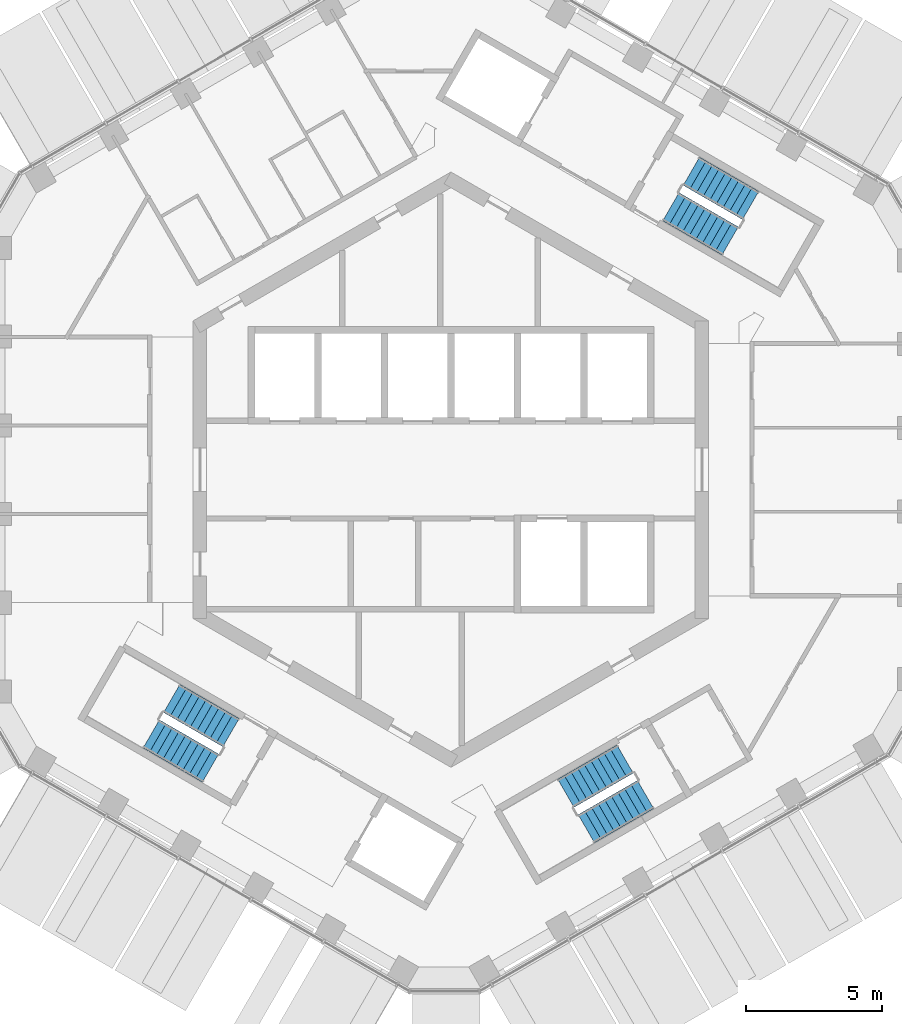
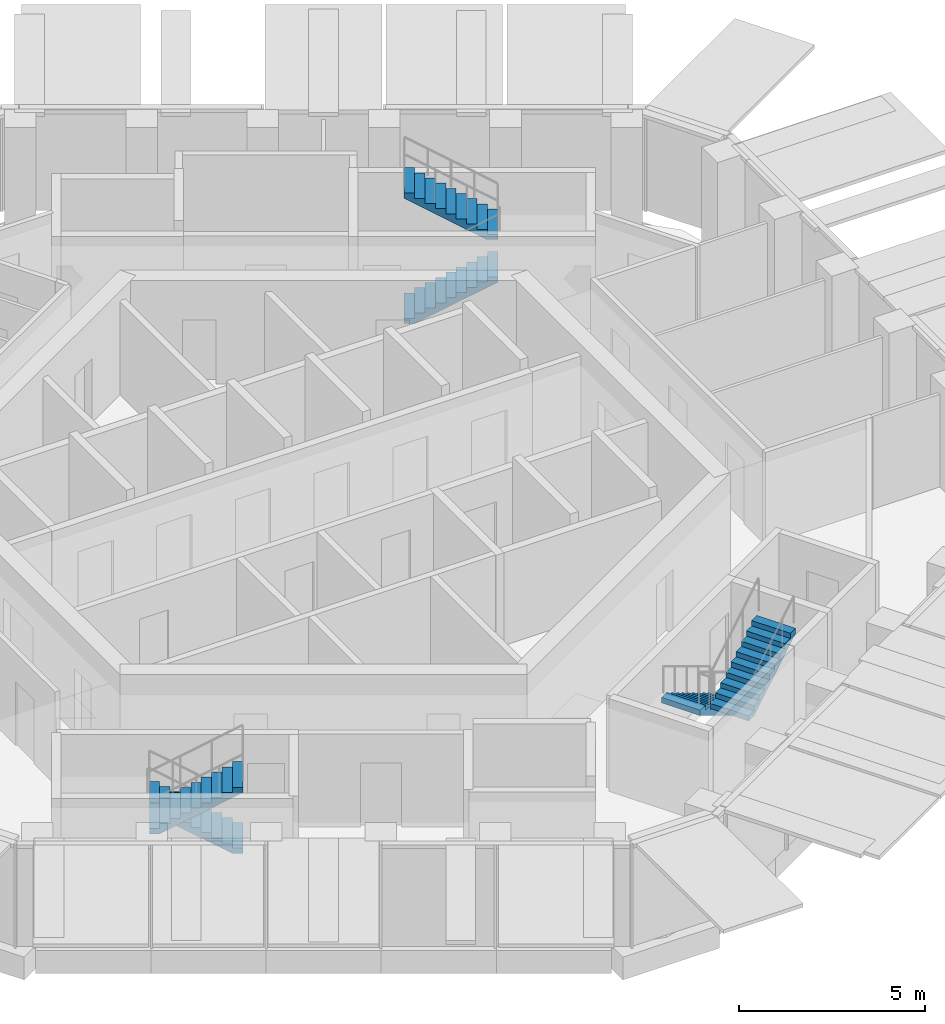
# One storey, part 16 of 17: 6 stair flights, 3 elements without a shape of their own.
"""IFC4 building model written with IfcOpenShell, lengths in metres."""

from ifc_helpers import new_model, si_unit, direction, frame, origin, place, context, subcontext, project, spatial, triangles, material, type_object, element, aggregate, save


model = new_model("IFC4")

# Units and contexts
model_context = context("Model", 3, precision=1e-05, world=origin(), true_north=direction((0.0, 1.0)))
body_context = subcontext(model_context, "Body", "Model", "MODEL_VIEW")
ifc_project = project(units=[si_unit("LENGTHUNIT", "METRE"), si_unit("AREAUNIT", "SQUARE_METRE"), si_unit("VOLUMEUNIT", "CUBIC_METRE"), si_unit("PLANEANGLEUNIT", "RADIAN"), si_unit("MASSUNIT", "GRAM", prefix="KILO")], contexts=[model_context])

# Site, building, storey
site_placement = place(None, origin())
site = spatial("IfcSite", under=ifc_project, at=site_placement, CompositionType="ELEMENT")
building_placement = place(site_placement, origin())
building = spatial("IfcBuilding", under=site, at=building_placement, Name="Ayvan Gate Tower", CompositionType="ELEMENT")
storey_placement = place(building_placement, frame((0.0, 0.0, 232.5)))
storey = spatial("IfcBuildingStorey", under=building, at=storey_placement, Name="L62", CompositionType="ELEMENT", Elevation=232.5)

# Stair, stair flights
ifc_material = material(Name="Concrete C40/50", Category="concrete")
stair_type = type_object("IfcStairType", Name="ST-EXIT", PredefinedType="HALF_TURN_STAIR", material=ifc_material)
stair_1_placement = place(storey_placement, origin())
stair_1 = element("IfcStair", 1, at=stair_1_placement, inside=storey, type_object=stair_type, Name="L62 Exit Stair S1", PredefinedType="HALF_TURN_STAIR")
stair_flight_type = type_object("IfcStairFlightType", Name="SFL-EXIT", PredefinedType="STRAIGHT", material=ifc_material)
stair_flight_1_placement = place(storey_placement, frame((8.106201171875, 9.690185546875, 0.0), z_axis=(0.0, 0.0, 1.0), x_axis=(0.866025403784, -0.5, 0.0)))
stair_flight_1 = element("IfcStairFlight", 2, at=stair_flight_1_placement, type_object=stair_flight_type, Name="STS1 flight 1", NumberOfRisers=10, NumberOfTreads=9, PredefinedType="STRAIGHT", RiserHeight=0.17, TreadLength=0.28, context=body_context, shape_type="Tessellation", body=[
    triangles([(0.288841, -0.599976, 0.0), (2.5205, -0.599976, 1.354936), (2.5205, -0.599976, 1.53), (2.24, -0.599976, 1.53), (2.24, -0.599976, 1.36), (1.96, -0.599976, 1.36), (1.96, -0.599976, 1.19), (1.68, -0.599976, 1.19), (1.68, -0.599976, 1.02), (1.4, -0.599976, 1.02), (1.4, -0.599976, 0.85), (1.12, -0.599976, 0.85), (1.12, -0.599976, 0.68), (0.84, -0.599976, 0.68), (0.84, -0.599976, 0.51), (0.56, -0.599976, 0.51), (0.56, -0.599976, 0.34), (0.28, -0.599976, 0.34), (0.28, -0.599976, 0.17), (-0.0005, -0.599976, 0.17), (-0.0005, -0.599976, 0.0), (0.288841, 0.0, 0.0), (2.5205, 0.0, 1.354936), (2.5205, 0.0, 1.53), (2.24, 0.0, 1.53), (2.24, 0.0, 1.36), (1.96, 0.0, 1.36), (1.96, 0.0, 1.19), (1.68, 0.0, 1.19), (1.68, 0.0, 1.02), (1.4, 0.0, 1.02), (1.4, 0.0, 0.85), (1.12, 0.0, 0.85), (1.12, 0.0, 0.68), (0.84, 0.0, 0.68), (0.84, 0.0, 0.51), (0.56, 0.0, 0.51), (0.56, 0.0, 0.34), (0.28, 0.0, 0.34), (0.28, 0.0, 0.17), (-0.0005, 0.0, 0.17), (-0.0005, 0.0, 0.0), (0.288841, 0.599976, 0.0), (2.5205, 0.599976, 1.354936), (2.5205, 0.599976, 1.53), (2.24, 0.599976, 1.53), (2.24, 0.599976, 1.36), (1.96, 0.599976, 1.36), (1.96, 0.599976, 1.19), (1.68, 0.599976, 1.19), (1.68, 0.599976, 1.02), (1.4, 0.599976, 1.02), (1.4, 0.599976, 0.85), (1.12, 0.599976, 0.85), (1.12, 0.599976, 0.68), (0.84, 0.599976, 0.68), (0.84, 0.599976, 0.51), (0.56, 0.599976, 0.51), (0.56, 0.599976, 0.34), (0.28, 0.599976, 0.34), (0.28, 0.599976, 0.17), (-0.0005, 0.599976, 0.17), (-0.0005, 0.599976, 0.0)], [[21, 1, 2], [63, 44, 43], [2, 3, 4], [44, 46, 45], [2, 4, 5], [44, 47, 46], [2, 5, 6], [44, 48, 47], [2, 6, 7], [44, 49, 48], [7, 8, 9], [49, 51, 50], [2, 7, 9], [44, 51, 49], [9, 10, 11], [51, 53, 52], [2, 9, 11], [44, 53, 51], [11, 12, 13], [53, 55, 54], [2, 11, 13], [44, 55, 53], [13, 14, 15], [55, 57, 56], [2, 13, 15], [44, 57, 55], [15, 16, 17], [57, 59, 58], [2, 15, 17], [44, 59, 57], [17, 18, 19], [59, 61, 60], [2, 17, 19], [44, 61, 59], [21, 2, 19], [63, 61, 44], [19, 20, 21], [61, 63, 62], [1, 22, 23], [1, 23, 2], [43, 23, 22], [43, 44, 23], [2, 23, 24], [2, 24, 3], [44, 24, 23], [44, 45, 24], [3, 24, 25], [3, 25, 4], [45, 25, 24], [45, 46, 25], [4, 25, 26], [4, 26, 5], [46, 26, 25], [46, 47, 26], [5, 26, 27], [5, 27, 6], [47, 27, 26], [47, 48, 27], [6, 27, 28], [6, 28, 7], [48, 28, 27], [48, 49, 28], [7, 28, 29], [7, 29, 8], [49, 29, 28], [49, 50, 29], [8, 29, 30], [8, 30, 9], [50, 30, 29], [50, 51, 30], [9, 30, 31], [9, 31, 10], [51, 31, 30], [51, 52, 31], [10, 31, 32], [10, 32, 11], [52, 32, 31], [52, 53, 32], [11, 32, 33], [11, 33, 12], [53, 33, 32], [53, 54, 33], [12, 33, 34], [12, 34, 13], [54, 34, 33], [54, 55, 34], [13, 34, 35], [13, 35, 14], [55, 35, 34], [55, 56, 35], [14, 35, 36], [14, 36, 15], [56, 36, 35], [56, 57, 36], [15, 36, 37], [15, 37, 16], [57, 37, 36], [57, 58, 37], [16, 37, 38], [16, 38, 17], [58, 38, 37], [58, 59, 38], [17, 38, 39], [17, 39, 18], [59, 39, 38], [59, 60, 39], [18, 39, 40], [18, 40, 19], [60, 40, 39], [60, 61, 40], [19, 40, 41], [19, 41, 20], [61, 41, 40], [61, 62, 41], [20, 41, 42], [20, 42, 21], [62, 42, 41], [62, 63, 42], [21, 42, 22], [21, 22, 1], [63, 22, 42], [63, 43, 22]], closed=True),
])
stair_flight_2_placement = place(storey_placement, frame((11.04345703125, 9.73779296875, 1.699951171875), z_axis=(0.0, 0.0, 1.0), x_axis=(-0.866025403784, 0.5, 0.0)))
stair_flight_2 = element("IfcStairFlight", 3, at=stair_flight_2_placement, type_object=stair_flight_type, Name="STS1 flight 2", NumberOfRisers=10, NumberOfTreads=9, PredefinedType="STRAIGHT", RiserHeight=0.17, TreadLength=0.28, context=body_context, shape_type="Tessellation", body=[
    triangles([(0.288841, -0.599976, 0.0), (2.5205, -0.599976, 1.354936), (2.5205, -0.599976, 1.53), (2.24, -0.599976, 1.53), (2.24, -0.599976, 1.36), (1.96, -0.599976, 1.36), (1.96, -0.599976, 1.19), (1.68, -0.599976, 1.19), (1.68, -0.599976, 1.02), (1.4, -0.599976, 1.02), (1.4, -0.599976, 0.85), (1.12, -0.599976, 0.85), (1.12, -0.599976, 0.68), (0.84, -0.599976, 0.68), (0.84, -0.599976, 0.51), (0.56, -0.599976, 0.51), (0.56, -0.599976, 0.34), (0.28, -0.599976, 0.34), (0.28, -0.599976, 0.17), (-0.0005, -0.599976, 0.17), (-0.0005, -0.599976, 0.0), (0.288841, 0.0, 0.0), (2.5205, 0.0, 1.354936), (2.5205, 0.0, 1.53), (2.24, 0.0, 1.53), (2.24, 0.0, 1.36), (1.96, 0.0, 1.36), (1.96, 0.0, 1.19), (1.68, 0.0, 1.19), (1.68, 0.0, 1.02), (1.4, 0.0, 1.02), (1.4, 0.0, 0.85), (1.12, 0.0, 0.85), (1.12, 0.0, 0.68), (0.84, 0.0, 0.68), (0.84, 0.0, 0.51), (0.56, 0.0, 0.51), (0.56, 0.0, 0.34), (0.28, 0.0, 0.34), (0.28, 0.0, 0.17), (-0.0005, 0.0, 0.17), (-0.0005, 0.0, 0.0), (0.288841, 0.599976, 0.0), (2.5205, 0.599976, 1.354936), (2.5205, 0.599976, 1.53), (2.24, 0.599976, 1.53), (2.24, 0.599976, 1.36), (1.96, 0.599976, 1.36), (1.96, 0.599976, 1.19), (1.68, 0.599976, 1.19), (1.68, 0.599976, 1.02), (1.4, 0.599976, 1.02), (1.4, 0.599976, 0.85), (1.12, 0.599976, 0.85), (1.12, 0.599976, 0.68), (0.84, 0.599976, 0.68), (0.84, 0.599976, 0.51), (0.56, 0.599976, 0.51), (0.56, 0.599976, 0.34), (0.28, 0.599976, 0.34), (0.28, 0.599976, 0.17), (-0.0005, 0.599976, 0.17), (-0.0005, 0.599976, 0.0)], [[21, 1, 2], [63, 44, 43], [2, 3, 4], [44, 46, 45], [2, 4, 5], [44, 47, 46], [2, 5, 6], [44, 48, 47], [2, 6, 7], [44, 49, 48], [7, 8, 9], [49, 51, 50], [2, 7, 9], [44, 51, 49], [9, 10, 11], [51, 53, 52], [2, 9, 11], [44, 53, 51], [11, 12, 13], [53, 55, 54], [2, 11, 13], [44, 55, 53], [13, 14, 15], [55, 57, 56], [2, 13, 15], [44, 57, 55], [15, 16, 17], [57, 59, 58], [2, 15, 17], [44, 59, 57], [17, 18, 19], [59, 61, 60], [2, 17, 19], [44, 61, 59], [21, 2, 19], [63, 61, 44], [19, 20, 21], [61, 63, 62], [1, 22, 23], [1, 23, 2], [43, 23, 22], [43, 44, 23], [2, 23, 24], [2, 24, 3], [44, 24, 23], [44, 45, 24], [3, 24, 25], [3, 25, 4], [45, 25, 24], [45, 46, 25], [4, 25, 26], [4, 26, 5], [46, 26, 25], [46, 47, 26], [5, 26, 27], [5, 27, 6], [47, 27, 26], [47, 48, 27], [6, 27, 28], [6, 28, 7], [48, 28, 27], [48, 49, 28], [7, 28, 29], [7, 29, 8], [49, 29, 28], [49, 50, 29], [8, 29, 30], [8, 30, 9], [50, 30, 29], [50, 51, 30], [9, 30, 31], [9, 31, 10], [51, 31, 30], [51, 52, 31], [10, 31, 32], [10, 32, 11], [52, 32, 31], [52, 53, 32], [11, 32, 33], [11, 33, 12], [53, 33, 32], [53, 54, 33], [12, 33, 34], [12, 34, 13], [54, 34, 33], [54, 55, 34], [13, 34, 35], [13, 35, 14], [55, 35, 34], [55, 56, 35], [14, 35, 36], [14, 36, 15], [56, 36, 35], [56, 57, 36], [15, 36, 37], [15, 37, 16], [57, 37, 36], [57, 58, 37], [16, 37, 38], [16, 38, 17], [58, 38, 37], [58, 59, 38], [17, 38, 39], [17, 39, 18], [59, 39, 38], [59, 60, 39], [18, 39, 40], [18, 40, 19], [60, 40, 39], [60, 61, 40], [19, 40, 41], [19, 41, 20], [61, 41, 40], [61, 62, 41], [20, 41, 42], [20, 42, 21], [62, 42, 41], [62, 63, 42], [21, 42, 22], [21, 22, 1], [63, 22, 42], [63, 43, 22]], closed=True),
])
aggregate(stair_1, [stair_flight_1, stair_flight_2])

stair_2_placement = place(storey_placement, origin())
stair_2 = element("IfcStair", 4, at=stair_2_placement, inside=storey, type_object=stair_type, Name="L62 Exit Stair S2", PredefinedType="HALF_TURN_STAIR")
stair_flight_3_placement = place(storey_placement, frame((-8.106201171875, -9.690185546875, 0.0), z_axis=(0.0, 0.0, 1.0), x_axis=(-0.866025403784, 0.5, 0.0)))
stair_flight_3 = element("IfcStairFlight", 5, at=stair_flight_3_placement, type_object=stair_flight_type, Name="STS2 flight 1", NumberOfRisers=10, NumberOfTreads=9, PredefinedType="STRAIGHT", RiserHeight=0.17, TreadLength=0.28, context=body_context, shape_type="Tessellation", body=[
    triangles([(0.288841, -0.599976, 0.0), (2.5205, -0.599976, 1.354936), (2.5205, -0.599976, 1.53), (2.24, -0.599976, 1.53), (2.24, -0.599976, 1.36), (1.96, -0.599976, 1.36), (1.96, -0.599976, 1.19), (1.68, -0.599976, 1.19), (1.68, -0.599976, 1.02), (1.4, -0.599976, 1.02), (1.4, -0.599976, 0.85), (1.12, -0.599976, 0.85), (1.12, -0.599976, 0.68), (0.84, -0.599976, 0.68), (0.84, -0.599976, 0.51), (0.56, -0.599976, 0.51), (0.56, -0.599976, 0.34), (0.28, -0.599976, 0.34), (0.28, -0.599976, 0.17), (-0.0005, -0.599976, 0.17), (-0.0005, -0.599976, 0.0), (0.288841, 0.0, 0.0), (2.5205, 0.0, 1.354936), (2.5205, 0.0, 1.53), (2.24, 0.0, 1.53), (2.24, 0.0, 1.36), (1.96, 0.0, 1.36), (1.96, 0.0, 1.19), (1.68, 0.0, 1.19), (1.68, 0.0, 1.02), (1.4, 0.0, 1.02), (1.4, 0.0, 0.85), (1.12, 0.0, 0.85), (1.12, 0.0, 0.68), (0.84, 0.0, 0.68), (0.84, 0.0, 0.51), (0.56, 0.0, 0.51), (0.56, 0.0, 0.34), (0.28, 0.0, 0.34), (0.28, 0.0, 0.17), (-0.0005, 0.0, 0.17), (-0.0005, 0.0, 0.0), (0.288841, 0.599976, 0.0), (2.5205, 0.599976, 1.354936), (2.5205, 0.599976, 1.53), (2.24, 0.599976, 1.53), (2.24, 0.599976, 1.36), (1.96, 0.599976, 1.36), (1.96, 0.599976, 1.19), (1.68, 0.599976, 1.19), (1.68, 0.599976, 1.02), (1.4, 0.599976, 1.02), (1.4, 0.599976, 0.85), (1.12, 0.599976, 0.85), (1.12, 0.599976, 0.68), (0.84, 0.599976, 0.68), (0.84, 0.599976, 0.51), (0.56, 0.599976, 0.51), (0.56, 0.599976, 0.34), (0.28, 0.599976, 0.34), (0.28, 0.599976, 0.17), (-0.0005, 0.599976, 0.17), (-0.0005, 0.599976, 0.0)], [[21, 1, 2], [63, 44, 43], [2, 3, 4], [44, 46, 45], [2, 4, 5], [44, 47, 46], [2, 5, 6], [44, 48, 47], [2, 6, 7], [44, 49, 48], [7, 8, 9], [49, 51, 50], [2, 7, 9], [44, 51, 49], [9, 10, 11], [51, 53, 52], [2, 9, 11], [44, 53, 51], [11, 12, 13], [53, 55, 54], [2, 11, 13], [44, 55, 53], [13, 14, 15], [55, 57, 56], [2, 13, 15], [44, 57, 55], [15, 16, 17], [57, 59, 58], [2, 15, 17], [44, 59, 57], [17, 18, 19], [59, 61, 60], [2, 17, 19], [44, 61, 59], [21, 2, 19], [63, 61, 44], [19, 20, 21], [61, 63, 62], [1, 22, 23], [1, 23, 2], [43, 23, 22], [43, 44, 23], [2, 23, 24], [2, 24, 3], [44, 24, 23], [44, 45, 24], [3, 24, 25], [3, 25, 4], [45, 25, 24], [45, 46, 25], [4, 25, 26], [4, 26, 5], [46, 26, 25], [46, 47, 26], [5, 26, 27], [5, 27, 6], [47, 27, 26], [47, 48, 27], [6, 27, 28], [6, 28, 7], [48, 28, 27], [48, 49, 28], [7, 28, 29], [7, 29, 8], [49, 29, 28], [49, 50, 29], [8, 29, 30], [8, 30, 9], [50, 30, 29], [50, 51, 30], [9, 30, 31], [9, 31, 10], [51, 31, 30], [51, 52, 31], [10, 31, 32], [10, 32, 11], [52, 32, 31], [52, 53, 32], [11, 32, 33], [11, 33, 12], [53, 33, 32], [53, 54, 33], [12, 33, 34], [12, 34, 13], [54, 34, 33], [54, 55, 34], [13, 34, 35], [13, 35, 14], [55, 35, 34], [55, 56, 35], [14, 35, 36], [14, 36, 15], [56, 36, 35], [56, 57, 36], [15, 36, 37], [15, 37, 16], [57, 37, 36], [57, 58, 37], [16, 37, 38], [16, 38, 17], [58, 38, 37], [58, 59, 38], [17, 38, 39], [17, 39, 18], [59, 39, 38], [59, 60, 39], [18, 39, 40], [18, 40, 19], [60, 40, 39], [60, 61, 40], [19, 40, 41], [19, 41, 20], [61, 41, 40], [61, 62, 41], [20, 41, 42], [20, 42, 21], [62, 42, 41], [62, 63, 42], [21, 42, 22], [21, 22, 1], [63, 22, 42], [63, 43, 22]], closed=True),
])
stair_flight_4_placement = place(storey_placement, frame((-11.04345703125, -9.73779296875, 1.699951171875), z_axis=(0.0, 0.0, 1.0), x_axis=(0.866025403784, -0.5, 0.0)))
stair_flight_4 = element("IfcStairFlight", 6, at=stair_flight_4_placement, type_object=stair_flight_type, Name="STS2 flight 2", NumberOfRisers=10, NumberOfTreads=9, PredefinedType="STRAIGHT", RiserHeight=0.17, TreadLength=0.28, context=body_context, shape_type="Tessellation", body=[
    triangles([(0.288841, -0.599976, 0.0), (2.5205, -0.599976, 1.354936), (2.5205, -0.599976, 1.53), (2.24, -0.599976, 1.53), (2.24, -0.599976, 1.36), (1.96, -0.599976, 1.36), (1.96, -0.599976, 1.19), (1.68, -0.599976, 1.19), (1.68, -0.599976, 1.02), (1.4, -0.599976, 1.02), (1.4, -0.599976, 0.85), (1.12, -0.599976, 0.85), (1.12, -0.599976, 0.68), (0.84, -0.599976, 0.68), (0.84, -0.599976, 0.51), (0.56, -0.599976, 0.51), (0.56, -0.599976, 0.34), (0.28, -0.599976, 0.34), (0.28, -0.599976, 0.17), (-0.0005, -0.599976, 0.17), (-0.0005, -0.599976, 0.0), (0.288841, 0.0, 0.0), (2.5205, 0.0, 1.354936), (2.5205, 0.0, 1.53), (2.24, 0.0, 1.53), (2.24, 0.0, 1.36), (1.96, 0.0, 1.36), (1.96, 0.0, 1.19), (1.68, 0.0, 1.19), (1.68, 0.0, 1.02), (1.4, 0.0, 1.02), (1.4, 0.0, 0.85), (1.12, 0.0, 0.85), (1.12, 0.0, 0.68), (0.84, 0.0, 0.68), (0.84, 0.0, 0.51), (0.56, 0.0, 0.51), (0.56, 0.0, 0.34), (0.28, 0.0, 0.34), (0.28, 0.0, 0.17), (-0.0005, 0.0, 0.17), (-0.0005, 0.0, 0.0), (0.288841, 0.599976, 0.0), (2.5205, 0.599976, 1.354936), (2.5205, 0.599976, 1.53), (2.24, 0.599976, 1.53), (2.24, 0.599976, 1.36), (1.96, 0.599976, 1.36), (1.96, 0.599976, 1.19), (1.68, 0.599976, 1.19), (1.68, 0.599976, 1.02), (1.4, 0.599976, 1.02), (1.4, 0.599976, 0.85), (1.12, 0.599976, 0.85), (1.12, 0.599976, 0.68), (0.84, 0.599976, 0.68), (0.84, 0.599976, 0.51), (0.56, 0.599976, 0.51), (0.56, 0.599976, 0.34), (0.28, 0.599976, 0.34), (0.28, 0.599976, 0.17), (-0.0005, 0.599976, 0.17), (-0.0005, 0.599976, 0.0)], [[21, 1, 2], [63, 44, 43], [2, 3, 4], [44, 46, 45], [2, 4, 5], [44, 47, 46], [2, 5, 6], [44, 48, 47], [2, 6, 7], [44, 49, 48], [7, 8, 9], [49, 51, 50], [2, 7, 9], [44, 51, 49], [9, 10, 11], [51, 53, 52], [2, 9, 11], [44, 53, 51], [11, 12, 13], [53, 55, 54], [2, 11, 13], [44, 55, 53], [13, 14, 15], [55, 57, 56], [2, 13, 15], [44, 57, 55], [15, 16, 17], [57, 59, 58], [2, 15, 17], [44, 59, 57], [17, 18, 19], [59, 61, 60], [2, 17, 19], [44, 61, 59], [21, 2, 19], [63, 61, 44], [19, 20, 21], [61, 63, 62], [1, 22, 23], [1, 23, 2], [43, 23, 22], [43, 44, 23], [2, 23, 24], [2, 24, 3], [44, 24, 23], [44, 45, 24], [3, 24, 25], [3, 25, 4], [45, 25, 24], [45, 46, 25], [4, 25, 26], [4, 26, 5], [46, 26, 25], [46, 47, 26], [5, 26, 27], [5, 27, 6], [47, 27, 26], [47, 48, 27], [6, 27, 28], [6, 28, 7], [48, 28, 27], [48, 49, 28], [7, 28, 29], [7, 29, 8], [49, 29, 28], [49, 50, 29], [8, 29, 30], [8, 30, 9], [50, 30, 29], [50, 51, 30], [9, 30, 31], [9, 31, 10], [51, 31, 30], [51, 52, 31], [10, 31, 32], [10, 32, 11], [52, 32, 31], [52, 53, 32], [11, 32, 33], [11, 33, 12], [53, 33, 32], [53, 54, 33], [12, 33, 34], [12, 34, 13], [54, 34, 33], [54, 55, 34], [13, 34, 35], [13, 35, 14], [55, 35, 34], [55, 56, 35], [14, 35, 36], [14, 36, 15], [56, 36, 35], [56, 57, 36], [15, 36, 37], [15, 37, 16], [57, 37, 36], [57, 58, 37], [16, 37, 38], [16, 38, 17], [58, 38, 37], [58, 59, 38], [17, 38, 39], [17, 39, 18], [59, 39, 38], [59, 60, 39], [18, 39, 40], [18, 40, 19], [60, 40, 39], [60, 61, 40], [19, 40, 41], [19, 41, 20], [61, 41, 40], [61, 62, 41], [20, 41, 42], [20, 42, 21], [62, 42, 41], [62, 63, 42], [21, 42, 22], [21, 22, 1], [63, 22, 42], [63, 43, 22]], closed=True),
])
aggregate(stair_2, [stair_flight_3, stair_flight_4])

stair_3_placement = place(storey_placement, origin())
stair_3 = element("IfcStair", 7, at=stair_3_placement, inside=storey, type_object=stair_type, Name="L62 Exit Stair S3", PredefinedType="HALF_TURN_STAIR")
stair_flight_5_placement = place(storey_placement, frame((6.417236328125, -10.665283203125, 0.0), z_axis=(0.0, 0.0, 1.0), x_axis=(-0.866025403784, -0.5, 0.0)))
stair_flight_5 = element("IfcStairFlight", 8, at=stair_flight_5_placement, type_object=stair_flight_type, Name="STS3 flight 1", NumberOfRisers=10, NumberOfTreads=9, PredefinedType="STRAIGHT", RiserHeight=0.17, TreadLength=0.28, context=body_context, shape_type="Tessellation", body=[
    triangles([(0.288841, -0.599976, 0.0), (2.5205, -0.599976, 1.354936), (2.5205, -0.599976, 1.53), (2.24, -0.599976, 1.53), (2.24, -0.599976, 1.36), (1.96, -0.599976, 1.36), (1.96, -0.599976, 1.19), (1.68, -0.599976, 1.19), (1.68, -0.599976, 1.02), (1.4, -0.599976, 1.02), (1.4, -0.599976, 0.85), (1.12, -0.599976, 0.85), (1.12, -0.599976, 0.68), (0.84, -0.599976, 0.68), (0.84, -0.599976, 0.51), (0.56, -0.599976, 0.51), (0.56, -0.599976, 0.34), (0.28, -0.599976, 0.34), (0.28, -0.599976, 0.17), (-0.0005, -0.599976, 0.17), (-0.0005, -0.599976, 0.0), (0.288841, 0.0, 0.0), (2.5205, 0.0, 1.354936), (2.5205, 0.0, 1.53), (2.24, 0.0, 1.53), (2.24, 0.0, 1.36), (1.96, 0.0, 1.36), (1.96, 0.0, 1.19), (1.68, 0.0, 1.19), (1.68, 0.0, 1.02), (1.4, 0.0, 1.02), (1.4, 0.0, 0.85), (1.12, 0.0, 0.85), (1.12, 0.0, 0.68), (0.84, 0.0, 0.68), (0.84, 0.0, 0.51), (0.56, 0.0, 0.51), (0.56, 0.0, 0.34), (0.28, 0.0, 0.34), (0.28, 0.0, 0.17), (-0.0005, 0.0, 0.17), (-0.0005, 0.0, 0.0), (0.288841, 0.599976, 0.0), (2.5205, 0.599976, 1.354936), (2.5205, 0.599976, 1.53), (2.24, 0.599976, 1.53), (2.24, 0.599976, 1.36), (1.96, 0.599976, 1.36), (1.96, 0.599976, 1.19), (1.68, 0.599976, 1.19), (1.68, 0.599976, 1.02), (1.4, 0.599976, 1.02), (1.4, 0.599976, 0.85), (1.12, 0.599976, 0.85), (1.12, 0.599976, 0.68), (0.84, 0.599976, 0.68), (0.84, 0.599976, 0.51), (0.56, 0.599976, 0.51), (0.56, 0.599976, 0.34), (0.28, 0.599976, 0.34), (0.28, 0.599976, 0.17), (-0.0005, 0.599976, 0.17), (-0.0005, 0.599976, 0.0)], [[21, 1, 2], [63, 44, 43], [2, 3, 4], [44, 46, 45], [2, 4, 5], [44, 47, 46], [2, 5, 6], [44, 48, 47], [2, 6, 7], [44, 49, 48], [7, 8, 9], [49, 51, 50], [2, 7, 9], [44, 51, 49], [9, 10, 11], [51, 53, 52], [2, 9, 11], [44, 53, 51], [11, 12, 13], [53, 55, 54], [2, 11, 13], [44, 55, 53], [13, 14, 15], [55, 57, 56], [2, 13, 15], [44, 57, 55], [15, 16, 17], [57, 59, 58], [2, 15, 17], [44, 59, 57], [17, 18, 19], [59, 61, 60], [2, 17, 19], [44, 61, 59], [21, 2, 19], [63, 61, 44], [19, 20, 21], [61, 63, 62], [1, 22, 23], [1, 23, 2], [43, 23, 22], [43, 44, 23], [2, 23, 24], [2, 24, 3], [44, 24, 23], [44, 45, 24], [3, 24, 25], [3, 25, 4], [45, 25, 24], [45, 46, 25], [4, 25, 26], [4, 26, 5], [46, 26, 25], [46, 47, 26], [5, 26, 27], [5, 27, 6], [47, 27, 26], [47, 48, 27], [6, 27, 28], [6, 28, 7], [48, 28, 27], [48, 49, 28], [7, 28, 29], [7, 29, 8], [49, 29, 28], [49, 50, 29], [8, 29, 30], [8, 30, 9], [50, 30, 29], [50, 51, 30], [9, 30, 31], [9, 31, 10], [51, 31, 30], [51, 52, 31], [10, 31, 32], [10, 32, 11], [52, 32, 31], [52, 53, 32], [11, 32, 33], [11, 33, 12], [53, 33, 32], [53, 54, 33], [12, 33, 34], [12, 34, 13], [54, 34, 33], [54, 55, 34], [13, 34, 35], [13, 35, 14], [55, 35, 34], [55, 56, 35], [14, 35, 36], [14, 36, 15], [56, 36, 35], [56, 57, 36], [15, 36, 37], [15, 37, 16], [57, 37, 36], [57, 58, 37], [16, 37, 38], [16, 38, 17], [58, 38, 37], [58, 59, 38], [17, 38, 39], [17, 39, 18], [59, 39, 38], [59, 60, 39], [18, 39, 40], [18, 40, 19], [60, 40, 39], [60, 61, 40], [19, 40, 41], [19, 41, 20], [61, 41, 40], [61, 62, 41], [20, 41, 42], [20, 42, 21], [62, 42, 41], [62, 63, 42], [21, 42, 22], [21, 22, 1], [63, 22, 42], [63, 43, 22]], closed=True),
])
stair_flight_6_placement = place(storey_placement, frame((4.989990234375, -13.23291015625, 1.699951171875), z_axis=(0.0, 0.0, 1.0), x_axis=(0.866025403784, 0.5, 0.0)))
stair_flight_6 = element("IfcStairFlight", 9, at=stair_flight_6_placement, type_object=stair_flight_type, Name="STS3 flight 2", NumberOfRisers=10, NumberOfTreads=9, PredefinedType="STRAIGHT", RiserHeight=0.17, TreadLength=0.28, context=body_context, shape_type="Tessellation", body=[
    triangles([(0.288841, -0.599976, 0.0), (2.5205, -0.599976, 1.354936), (2.5205, -0.599976, 1.53), (2.24, -0.599976, 1.53), (2.24, -0.599976, 1.36), (1.96, -0.599976, 1.36), (1.96, -0.599976, 1.19), (1.68, -0.599976, 1.19), (1.68, -0.599976, 1.02), (1.4, -0.599976, 1.02), (1.4, -0.599976, 0.85), (1.12, -0.599976, 0.85), (1.12, -0.599976, 0.68), (0.84, -0.599976, 0.68), (0.84, -0.599976, 0.51), (0.56, -0.599976, 0.51), (0.56, -0.599976, 0.34), (0.28, -0.599976, 0.34), (0.28, -0.599976, 0.17), (-0.0005, -0.599976, 0.17), (-0.0005, -0.599976, 0.0), (0.288841, 0.0, 0.0), (2.5205, 0.0, 1.354936), (2.5205, 0.0, 1.53), (2.24, 0.0, 1.53), (2.24, 0.0, 1.36), (1.96, 0.0, 1.36), (1.96, 0.0, 1.19), (1.68, 0.0, 1.19), (1.68, 0.0, 1.02), (1.4, 0.0, 1.02), (1.4, 0.0, 0.85), (1.12, 0.0, 0.85), (1.12, 0.0, 0.68), (0.84, 0.0, 0.68), (0.84, 0.0, 0.51), (0.56, 0.0, 0.51), (0.56, 0.0, 0.34), (0.28, 0.0, 0.34), (0.28, 0.0, 0.17), (-0.0005, 0.0, 0.17), (-0.0005, 0.0, 0.0), (0.288841, 0.599976, 0.0), (2.5205, 0.599976, 1.354936), (2.5205, 0.599976, 1.53), (2.24, 0.599976, 1.53), (2.24, 0.599976, 1.36), (1.96, 0.599976, 1.36), (1.96, 0.599976, 1.19), (1.68, 0.599976, 1.19), (1.68, 0.599976, 1.02), (1.4, 0.599976, 1.02), (1.4, 0.599976, 0.85), (1.12, 0.599976, 0.85), (1.12, 0.599976, 0.68), (0.84, 0.599976, 0.68), (0.84, 0.599976, 0.51), (0.56, 0.599976, 0.51), (0.56, 0.599976, 0.34), (0.28, 0.599976, 0.34), (0.28, 0.599976, 0.17), (-0.0005, 0.599976, 0.17), (-0.0005, 0.599976, 0.0)], [[21, 1, 2], [63, 44, 43], [2, 3, 4], [44, 46, 45], [2, 4, 5], [44, 47, 46], [2, 5, 6], [44, 48, 47], [2, 6, 7], [44, 49, 48], [7, 8, 9], [49, 51, 50], [2, 7, 9], [44, 51, 49], [9, 10, 11], [51, 53, 52], [2, 9, 11], [44, 53, 51], [11, 12, 13], [53, 55, 54], [2, 11, 13], [44, 55, 53], [13, 14, 15], [55, 57, 56], [2, 13, 15], [44, 57, 55], [15, 16, 17], [57, 59, 58], [2, 15, 17], [44, 59, 57], [17, 18, 19], [59, 61, 60], [2, 17, 19], [44, 61, 59], [21, 2, 19], [63, 61, 44], [19, 20, 21], [61, 63, 62], [1, 22, 23], [1, 23, 2], [43, 23, 22], [43, 44, 23], [2, 23, 24], [2, 24, 3], [44, 24, 23], [44, 45, 24], [3, 24, 25], [3, 25, 4], [45, 25, 24], [45, 46, 25], [4, 25, 26], [4, 26, 5], [46, 26, 25], [46, 47, 26], [5, 26, 27], [5, 27, 6], [47, 27, 26], [47, 48, 27], [6, 27, 28], [6, 28, 7], [48, 28, 27], [48, 49, 28], [7, 28, 29], [7, 29, 8], [49, 29, 28], [49, 50, 29], [8, 29, 30], [8, 30, 9], [50, 30, 29], [50, 51, 30], [9, 30, 31], [9, 31, 10], [51, 31, 30], [51, 52, 31], [10, 31, 32], [10, 32, 11], [52, 32, 31], [52, 53, 32], [11, 32, 33], [11, 33, 12], [53, 33, 32], [53, 54, 33], [12, 33, 34], [12, 34, 13], [54, 34, 33], [54, 55, 34], [13, 34, 35], [13, 35, 14], [55, 35, 34], [55, 56, 35], [14, 35, 36], [14, 36, 15], [56, 36, 35], [56, 57, 36], [15, 36, 37], [15, 37, 16], [57, 37, 36], [57, 58, 37], [16, 37, 38], [16, 38, 17], [58, 38, 37], [58, 59, 38], [17, 38, 39], [17, 39, 18], [59, 39, 38], [59, 60, 39], [18, 39, 40], [18, 40, 19], [60, 40, 39], [60, 61, 40], [19, 40, 41], [19, 41, 20], [61, 41, 40], [61, 62, 41], [20, 41, 42], [20, 42, 21], [62, 42, 41], [62, 63, 42], [21, 42, 22], [21, 22, 1], [63, 22, 42], [63, 43, 22]], closed=True),
])
aggregate(stair_3, [stair_flight_5, stair_flight_6])

save(model, "model.ifc")
